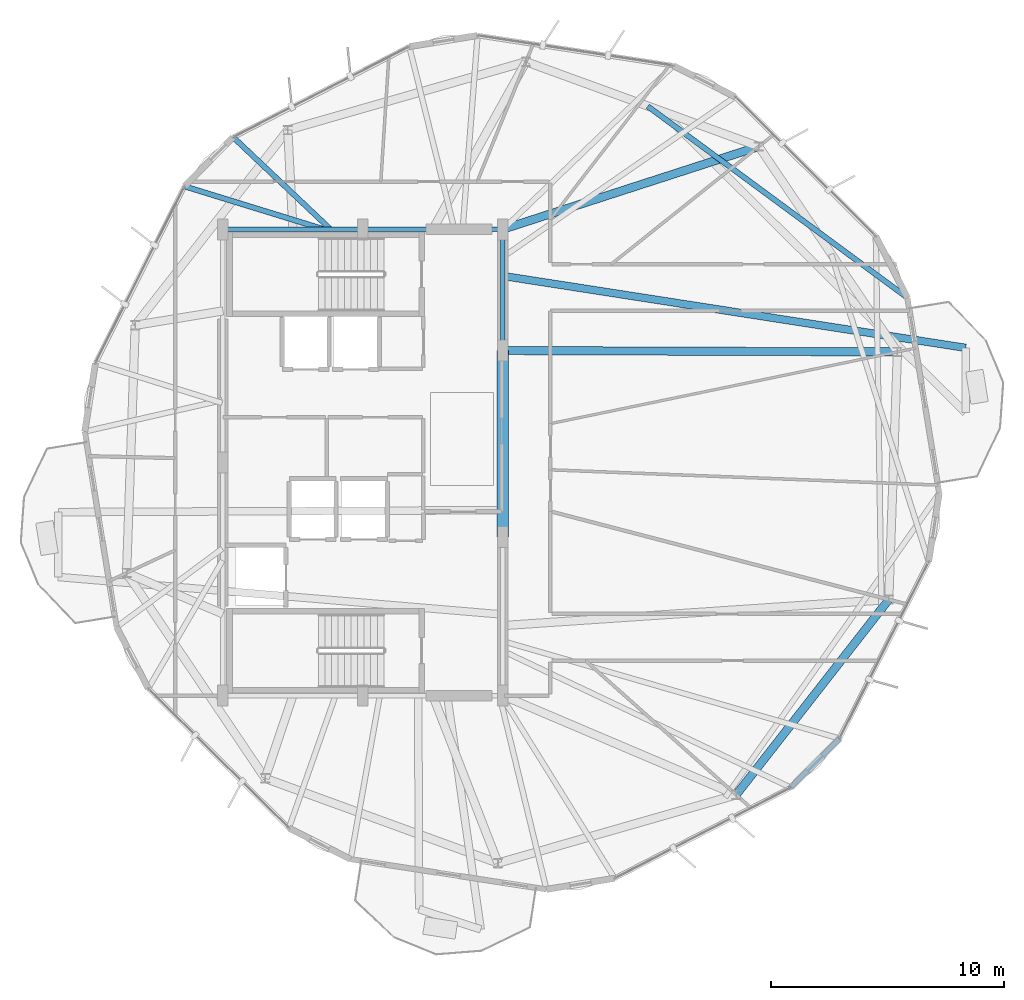
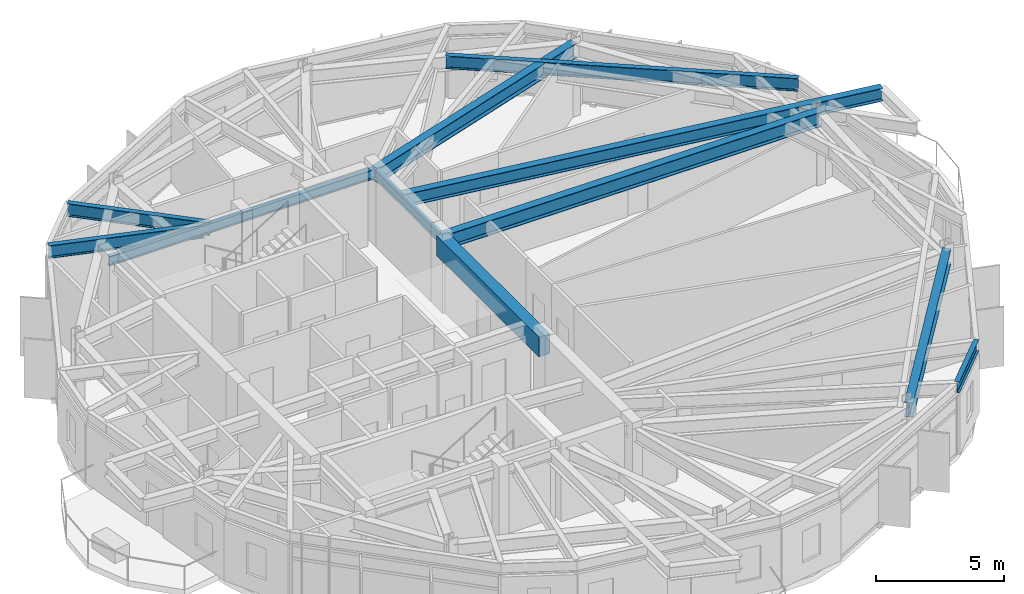
# One storey, part 8 of 22: 12 beams.
"""IFC4 building model written with IfcOpenShell, lengths in metres."""

from ifc_helpers import new_model, si_unit, direction, frame, origin, origin_2d, place, context, subcontext, project, spatial, rectangle, i_section, extrude, material, material_profile, profile_set, type_object, element, save


model = new_model("IFC4")

# Units and contexts
model_context = context("Model", 3, precision=1e-05, world=origin(), true_north=direction((0.0, 1.0)))
body_context = subcontext(model_context, "Body", "Model", "MODEL_VIEW")
ifc_project = project(units=[si_unit("LENGTHUNIT", "METRE"), si_unit("AREAUNIT", "SQUARE_METRE"), si_unit("VOLUMEUNIT", "CUBIC_METRE"), si_unit("PLANEANGLEUNIT", "RADIAN"), si_unit("MASSUNIT", "GRAM", prefix="KILO")], contexts=[model_context])

# Site, building, storey
site_placement = place(None, origin())
site = spatial("IfcSite", under=ifc_project, at=site_placement, CompositionType="ELEMENT")
building_placement = place(site_placement, origin())
building = spatial("IfcBuilding", under=site, at=building_placement, Name="Soratama Intermodal Tower", CompositionType="ELEMENT")
storey_placement = place(building_placement, frame((0.0, 0.0, 265.0)))
storey = spatial("IfcBuildingStorey", under=building, at=storey_placement, Name="L67", CompositionType="ELEMENT", Elevation=265.0)

# Beams
ifc_material_1 = material(Name="Structural steel ASTM A992 Grade 50", Category="steel")
ifc_material_profile_1 = material_profile(ifc_material_1, i_section(OverallWidth=0.324951171875, OverallDepth=0.615966796875, WebThickness=0.013916015625, FlangeThickness=0.021484375, FilletRadius=0.013916015625, at=origin_2d()), Name="W24X117")
ifc_profile_set_1 = profile_set([ifc_material_profile_1], Name="Structural steel ASTM A992 Grade 50")
beam_type_1 = type_object("IfcBeamType", Name="BM-CANT-W24X117", PredefinedType="BEAM", material=ifc_profile_set_1)
beam_1_placement = place(storey_placement, frame((44.639892578125, 32.9951171875, 3.14208984375), z_axis=(0.988139292127, -0.1535602141, 0.0), x_axis=(0.1535602141, 0.988139292127, 0.0)))
element("IfcBeam", 1, at=beam_1_placement, inside=storey, type_object=beam_type_1, Name="BM-L67-CANT-1-2", PredefinedType="BEAM", context=body_context, shape_type="SweptSolid", body=[
    extrude(i_section(OverallWidth=0.324951171875, OverallDepth=0.615966796875, WebThickness=0.013916015625, FlangeThickness=0.021484375, FilletRadius=0.013916015625, at=origin_2d()), origin(), (0.0, 0.0, 1.0), 20.064208984375),
])
ifc_material_2 = material(Name="Concrete f'c 56 MPa", Category="concrete")
ifc_material_profile_2 = material_profile(ifc_material_2, rectangle(XDim=0.5, YDim=0.949951171875, at=origin_2d()), Name="RC500X950")
ifc_profile_set_2 = profile_set([ifc_material_profile_2], Name="Concrete f'c 56 MPa")
beam_type_2 = type_object("IfcBeamType", Name="BM-CPL-RC500X950", PredefinedType="BEAM", material=ifc_profile_set_2)
beam_2_placement = place(storey_placement, frame((44.60009765625, 21.800048828125, 2.97509765625), z_axis=(0.0, 1.0, 0.0), x_axis=(-1.0, 0.0, 0.0)))
element("IfcBeam", 2, at=beam_2_placement, inside=storey, type_object=beam_type_2, Name="L67 Core Coupling Beam East", PredefinedType="BEAM", context=body_context, shape_type="SweptSolid", body=[
    extrude(rectangle(XDim=0.5, YDim=0.949951171875, at=origin_2d()), origin(), (0.0, 0.0, 1.0), 8.0),
])
ifc_material_3 = material(Name="Structural steel ASTM A992 Grade 50", Category="steel")
ifc_material_profile_3 = material_profile(ifc_material_3, i_section(OverallWidth=0.19091796875, OverallDepth=0.4599609375, WebThickness=0.010009765625, FlangeThickness=0.01611328125, FilletRadius=0.010986328125, at=origin_2d()), Name="W18X55")
ifc_profile_set_3 = profile_set([ifc_material_profile_3], Name="Structural steel ASTM A992 Grade 50")
beam_type_3 = type_object("IfcBeamType", Name="BM-FLR-W18X55", PredefinedType="BEAM", material=ifc_profile_set_3)
beam_3_placement = place(storey_placement, frame((44.60009765625, 29.800048828125, 3.219970703125), z_axis=(0.0, 1.0, 0.0), x_axis=(-1.0, 0.0, 0.0)))
element("IfcBeam", 3, at=beam_3_placement, inside=storey, type_object=beam_type_3, Name="BM-L67-CRING-05", PredefinedType="BEAM", context=body_context, shape_type="SweptSolid", body=[
    extrude(i_section(OverallWidth=0.19091796875, OverallDepth=0.4599609375, WebThickness=0.010009765625, FlangeThickness=0.01611328125, FilletRadius=0.010986328125, at=origin_2d()), origin(), (0.0, 0.0, 1.0), 5.199951171875),
])
for number, where, z_axis, x_axis, name in (
    (4, (44.60009765625, 35.0, 3.219970703125), (-1.0, 0.0, 0.0), (0.0, -1.0, 0.0), "BM-L67-CRING-06"),
    (5, (38.60009765625, 35.0, 3.219970703125), (-1.0, 0.0, 0.0), (0.0, -1.0, 0.0), "BM-L67-CRING-07"),
):
    element("IfcBeam", number, at=place(storey_placement, frame(where, z_axis=z_axis, x_axis=x_axis)), inside=storey, type_object=beam_type_3, Name=name, PredefinedType="BEAM", context=body_context, shape_type="SweptSolid", body=[
        extrude(i_section(OverallWidth=0.19091796875, OverallDepth=0.4599609375, WebThickness=0.010009765625, FlangeThickness=0.01611328125, FilletRadius=0.010986328125, at=origin_2d()), origin(), (0.0, 0.0, 1.0), 6.0),
    ])
ifc_material_4 = material(Name="Structural steel ASTM A992 Grade 50", Category="steel")
ifc_material_profile_4 = material_profile(ifc_material_4, i_section(OverallWidth=0.35498046875, OverallDepth=0.695068359375, WebThickness=0.015380859375, FlangeThickness=0.02490234375, FilletRadius=0.01611328125, at=origin_2d()), Name="W27X146")
ifc_profile_set_4 = profile_set([ifc_material_profile_4], Name="Structural steel ASTM A992 Grade 50")
beam_type_4 = type_object("IfcBeamType", Name="BM-RING-W27X146", PredefinedType="BEAM", material=ifc_profile_set_4)
beam_4_placement = place(storey_placement, frame((54.617919921875, 10.740966796875, 3.1025390625), z_axis=(0.6157278291, 0.787958907858, 0.0), x_axis=(-0.787958907858, 0.6157278291, 0.0)))
element("IfcBeam", 6, at=beam_4_placement, inside=storey, type_object=beam_type_4, Name="BM-L67-RING-09", PredefinedType="BEAM", context=body_context, shape_type="SweptSolid", body=[
    extrude(i_section(OverallWidth=0.35498046875, OverallDepth=0.695068359375, WebThickness=0.015380859375, FlangeThickness=0.02490234375, FilletRadius=0.01611328125, at=origin_2d()), origin(), (0.0, 0.0, 1.0), 10.6298828125),
])
beam_5_placement = place(storey_placement, frame((44.60009765625, 29.800048828125, 3.1025390625), z_axis=(0.999993913522, -0.003488971138, 0.0), x_axis=(0.003488971138, 0.999993913522, 0.0)))
element("IfcBeam", 7, at=beam_5_placement, inside=storey, type_object=beam_type_4, Name="BM-L67-RAD-01", PredefinedType="BEAM", context=body_context, shape_type="SweptSolid", body=[
    extrude(i_section(OverallWidth=0.35498046875, OverallDepth=0.695068359375, WebThickness=0.015380859375, FlangeThickness=0.02490234375, FilletRadius=0.01611328125, at=origin_2d()), origin(), (0.0, 0.0, 1.0), 16.933837890625),
])
beam_6_placement = place(storey_placement, frame((44.60009765625, 35.0, 3.1025390625), z_axis=(0.95147783512, 0.307717287904, 0.0), x_axis=(-0.307717287904, 0.95147783512, 0.0)))
element("IfcBeam", 8, at=beam_6_placement, inside=storey, type_object=beam_type_4, Name="BM-L67-RAD-02", PredefinedType="BEAM", context=body_context, shape_type="SweptSolid", body=[
    extrude(i_section(OverallWidth=0.35498046875, OverallDepth=0.695068359375, WebThickness=0.015380859375, FlangeThickness=0.02490234375, FilletRadius=0.01611328125, at=origin_2d()), origin(), (0.0, 0.0, 1.0), 11.54931640625),
])
ifc_material_5 = material(Name="Structural steel ASTM A992 Grade 50", Category="steel")
ifc_material_profile_5 = material_profile(ifc_material_5, i_section(OverallWidth=0.2099609375, OverallDepth=0.537109375, WebThickness=0.010986328125, FlangeThickness=0.017333984375, FilletRadius=0.012939453125, at=origin_2d()), Name="W21X68")
ifc_profile_set_5 = profile_set([ifc_material_profile_5], Name="Structural steel ASTM A992 Grade 50")
beam_type_5 = type_object("IfcBeamType", Name="BM-SPN-W21X68", PredefinedType="SPANDREL", material=ifc_profile_set_5)
beam_7_placement = place(storey_placement, frame((56.9619140625, 11.048095703125, 3.181396484375), z_axis=(0.70409706741, 0.710103738664, 0.0), x_axis=(-0.710103738664, 0.70409706741, 0.0)))
element("IfcBeam", 9, at=beam_7_placement, inside=storey, type_object=beam_type_5, Name="BS-L67-CRN07", PredefinedType="SPANDREL", context=body_context, shape_type="SweptSolid", body=[
    extrude(i_section(OverallWidth=0.2099609375, OverallDepth=0.537109375, WebThickness=0.010986328125, FlangeThickness=0.017333984375, FilletRadius=0.012939453125, at=origin_2d()), origin(), (0.0, 0.0, 1.0), 2.967041015625),
])
ifc_material_6 = material(Name="Structural steel ASTM A992 Grade 50", Category="steel")
ifc_material_profile_6 = material_profile(ifc_material_6, i_section(OverallWidth=0.22900390625, OverallDepth=0.612060546875, WebThickness=0.011962890625, FlangeThickness=0.01953125, FilletRadius=0.012939453125, at=origin_2d()), Name="W24X84")
ifc_profile_set_6 = profile_set([ifc_material_profile_6], Name="Structural steel ASTM A992 Grade 50")
beam_type_6 = type_object("IfcBeamType", Name="BM-TIE-W24X84", PredefinedType="BEAM", material=ifc_profile_set_6)
beam_8_placement = place(storey_placement, frame((37.18896484375, 35.027099609375, 3.14404296875), z_axis=(-0.726617172692, 0.68704256371, 0.0), x_axis=(-0.68704256371, -0.726617172692, 0.0)))
element("IfcBeam", 10, at=beam_8_placement, inside=storey, type_object=beam_type_6, Name="BM-L67-TIE1-02", PredefinedType="BEAM", context=body_context, shape_type="SweptSolid", body=[
    extrude(i_section(OverallWidth=0.22900390625, OverallDepth=0.612060546875, WebThickness=0.011962890625, FlangeThickness=0.01953125, FilletRadius=0.012939453125, at=origin_2d()), origin(), (0.0, 0.0, 1.0), 5.712646484375),
])
beam_9_placement = place(storey_placement, frame((36.89697265625, 35.011962890625, 3.14404296875), z_axis=(-0.955650002933, 0.294504790954, 0.0), x_axis=(-0.294504790954, -0.955650002933, 0.0)))
element("IfcBeam", 11, at=beam_9_placement, inside=storey, type_object=beam_type_6, Name="BM-L67-TIE0-03", PredefinedType="BEAM", context=body_context, shape_type="SweptSolid", body=[
    extrude(i_section(OverallWidth=0.22900390625, OverallDepth=0.612060546875, WebThickness=0.011962890625, FlangeThickness=0.01953125, FilletRadius=0.012939453125, at=origin_2d()), origin(), (0.0, 0.0, 1.0), 6.22412109375),
])
beam_10_placement = place(storey_placement, frame((50.824951171875, 40.27587890625, 3.14404296875), z_axis=(0.805006170771, -0.593266436789, 0.0), x_axis=(0.593266436789, 0.805006170771, 0.0)))
element("IfcBeam", 12, at=beam_10_placement, inside=storey, type_object=beam_type_6, Name="BM-L67-TIE1-09", PredefinedType="BEAM", context=body_context, shape_type="SweptSolid", body=[
    extrude(i_section(OverallWidth=0.22900390625, OverallDepth=0.612060546875, WebThickness=0.011962890625, FlangeThickness=0.01953125, FilletRadius=0.012939453125, at=origin_2d()), origin(), (0.0, 0.0, 1.0), 13.838623046875),
])

save(model, "model.ifc")
